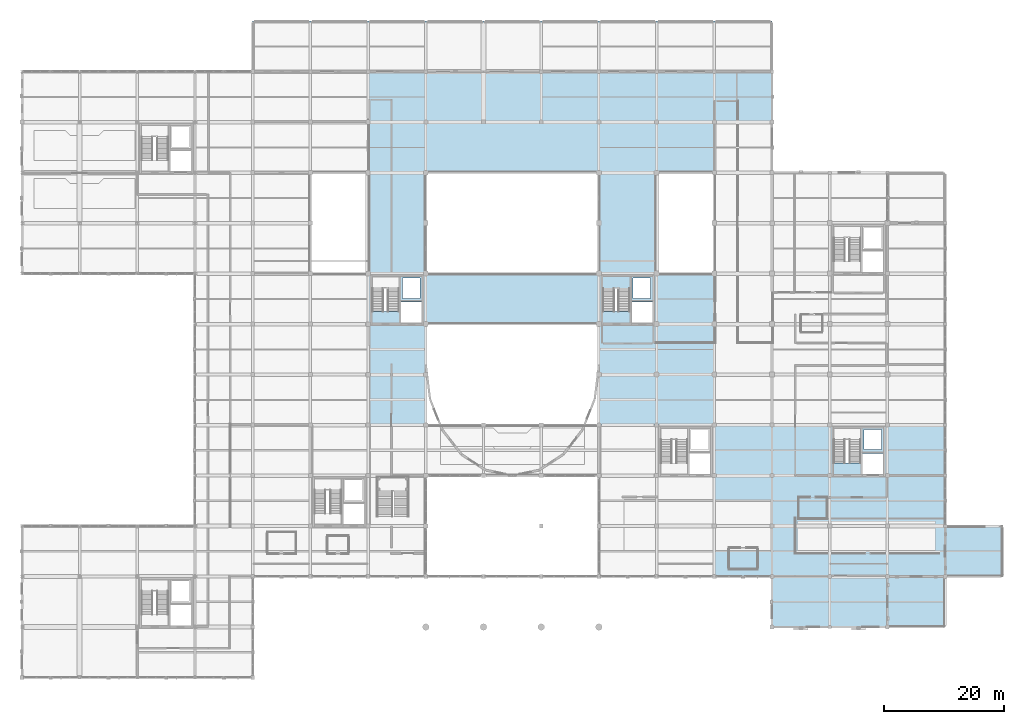
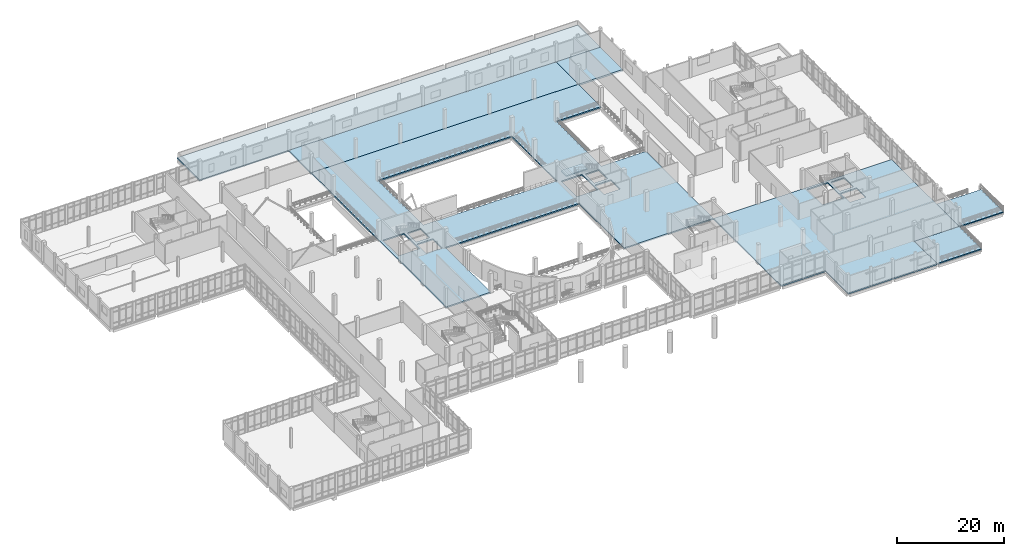
# One storey, part 83 of 102: 8 slabs, 1 element without a shape of its own.
"""IFC4 building model written with IfcOpenShell, lengths in metres."""

from ifc_helpers import new_model, si_unit, direction, frame, origin, place, context, subcontext, project, spatial, polyline, outline, extrude, material, layer, layer_set, type_object, element, aggregate, save


model = new_model("IFC4")

# Units and contexts
model_context = context("Model", 3, precision=1e-05, world=origin(), true_north=direction((0.0, 1.0)))
body_context = subcontext(model_context, "Body", "Model", "MODEL_VIEW")
ifc_project = project(units=[si_unit("LENGTHUNIT", "METRE"), si_unit("AREAUNIT", "SQUARE_METRE"), si_unit("VOLUMEUNIT", "CUBIC_METRE"), si_unit("PLANEANGLEUNIT", "RADIAN"), si_unit("MASSUNIT", "GRAM", prefix="KILO")], contexts=[model_context])

# Site, building, storey
site_placement = place(None, origin())
site = spatial("IfcSite", under=ifc_project, at=site_placement, CompositionType="ELEMENT")
building_placement = place(site_placement, origin())
building = spatial("IfcBuilding", under=site, at=building_placement, Name="Lornevale Opera House", CompositionType="ELEMENT")
storey_placement = place(building_placement, frame((0.0, 0.0, 5.39990234375)))
storey = spatial("IfcBuildingStorey", under=building, at=storey_placement, Name="L02", CompositionType="ELEMENT", Elevation=5.39990234375)

# Slabs
ifc_material_1 = material(Name="Concrete 40 MPa (CSA A23.1 C-1)", Category="concrete")
ifc_layer_1 = layer(ifc_material_1, 0.25)
ifc_layer_set_1 = layer_set([ifc_layer_1], Name="Concrete 40 MPa (CSA A23.1 C-1)")
slab_type_1 = type_object("IfcSlabType", Name="Escarpment Terrace Deck Slab 250", PredefinedType="USERDEFINED", material=ifc_layer_set_1)
slab_1_placement = place(storey_placement, frame((0.0, 0.0, -0.25)))
element("IfcSlab", 1, at=slab_1_placement, inside=storey, type_object=slab_type_1, Name="Escarpment Terrace Deck Slab 250 SL-043", ObjectType="TERRACE", PredefinedType="USERDEFINED", context=body_context, shape_type="SweptSolid", body=[
    extrude(outline(polyline([(153.60009765625, 8.39990234375), (144.0, 8.39990234375), (144.0, 16.800048828125), (153.60009765625, 16.800048828125), (153.60009765625, 8.39990234375)])), origin(), (0.0, 0.0, 1.0), 0.25),
])
slab_2_placement = place(storey_placement, frame((0.0, 0.0, -0.25)))
element("IfcSlab", 2, at=slab_2_placement, inside=storey, type_object=slab_type_1, Name="Escarpment Terrace Deck Slab 250 SL-044", ObjectType="TERRACE", PredefinedType="USERDEFINED", context=body_context, shape_type="SweptSolid", body=[
    extrude(outline(polyline([(153.60009765625, 25.199951171875), (163.199951171875, 25.199951171875), (163.199951171875, 16.800048828125), (153.60009765625, 16.800048828125), (153.60009765625, 25.199951171875)])), origin(), (0.0, 0.0, 1.0), 0.25),
])
ifc_layer_2 = layer(ifc_material_1, 0.3798828125)
ifc_layer_set_2 = layer_set([ifc_layer_2], Name="Concrete 40 MPa (CSA A23.1 C-1)")
slab_type_2 = type_object("IfcSlabType", Name="Heavy Workshop Floor Slab 380", PredefinedType="FLOOR", material=ifc_layer_set_2)
slab_3_placement = place(storey_placement, frame((0.0, 0.0, -0.3798828125)))
element("IfcSlab", 3, at=slab_3_placement, inside=storey, type_object=slab_type_2, Name="Heavy Workshop Floor Slab 380 SL-041", PredefinedType="FLOOR", context=body_context, shape_type="SweptSolid", body=[
    extrude(outline(polyline([(57.60009765625, 100.800048828125), (67.199951171875, 100.800048828125), (76.800048828125, 100.800048828125), (86.39990234375, 100.800048828125), (96.0, 100.800048828125), (105.60009765625, 100.800048828125), (115.199951171875, 100.800048828125), (115.199951171875, 92.39990234375), (105.60009765625, 92.39990234375), (96.0, 92.39990234375), (86.39990234375, 92.39990234375), (76.800048828125, 92.39990234375), (67.199951171875, 92.39990234375), (57.60009765625, 92.39990234375), (57.60009765625, 100.800048828125)])), origin(), (0.0, 0.0, 1.0), 0.3798828125),
])
slab_4_placement = place(storey_placement, frame((0.0, 0.0, -0.3798828125)))
element("IfcSlab", 4, at=slab_4_placement, inside=storey, type_object=slab_type_2, Name="Heavy Workshop Floor Slab 380 SL-042", PredefinedType="FLOOR", context=body_context, shape_type="SweptSolid", body=[
    extrude(outline(polyline([(124.800048828125, 92.39990234375), (124.800048828125, 100.800048828125), (115.199951171875, 100.800048828125), (115.199951171875, 92.39990234375), (124.800048828125, 92.39990234375)])), origin(), (0.0, 0.0, 1.0), 0.3798828125),
])
ifc_material_2 = material(Name="Concrete 35 MPa (CSA A23.1 N)", Category="concrete")
ifc_layer_3 = layer(ifc_material_2, 0.300048828125)
ifc_layer_set_3 = layer_set([ifc_layer_3], Name="Concrete 35 MPa (CSA A23.1 N)")
slab_type_3 = type_object("IfcSlabType", Name="Parterre Gallery Floor Slab 300", PredefinedType="FLOOR", material=ifc_layer_set_3)
slab_5_placement = place(storey_placement, frame((0.0, 0.0, -0.2998046875)))
element("IfcSlab", 5, at=slab_5_placement, inside=storey, type_object=slab_type_3, Name="Parterre Gallery Floor Slab 300 SL-036", PredefinedType="FLOOR", context=body_context, shape_type="SweptSolid", body=[
    extrude(outline(polyline([(124.800048828125, 16.800048828125), (115.199951171875, 16.800048828125), (115.199951171875, 25.199951171875), (115.199951171875, 33.60009765625), (115.199951171875, 42.0), (124.800048828125, 42.0), (134.39990234375, 42.0), (144.0, 42.0), (153.60009765625, 42.0), (153.60009765625, 33.60009765625), (153.60009765625, 25.199951171875), (153.60009765625, 16.800048828125), (144.0, 16.800048828125), (144.0, 8.39990234375), (134.39990234375, 8.39990234375), (124.800048828125, 8.39990234375), (124.800048828125, 16.800048828125)]), holes=[polyline([(139.860107421875, 33.780029296875), (143.320068359375, 33.780029296875), (143.320068359375, 37.239990234375), (139.860107421875, 37.239990234375), (139.860107421875, 33.780029296875)]), polyline([(135.06005859375, 35.679931640625), (139.5400390625, 35.679931640625), (139.5400390625, 41.47998046875), (135.06005859375, 41.47998046875), (135.06005859375, 35.679931640625)]), polyline([(140.10009765625, 37.89990234375), (143.0, 37.89990234375), (143.0, 41.239990234375), (140.10009765625, 41.239990234375), (140.10009765625, 37.89990234375)])]), origin(), (0.0, 0.0, 1.0), 0.2998046875),
])
slab_6_placement = place(storey_placement, frame((0.0, 0.0, -0.2998046875)))
element("IfcSlab", 6, at=slab_6_placement, inside=storey, type_object=slab_type_3, Name="Parterre Gallery Floor Slab 300 SL-038", PredefinedType="FLOOR", context=body_context, shape_type="SweptSolid", body=[
    extrude(outline(polyline([(57.60009765625, 58.800048828125), (57.60009765625, 67.199951171875), (57.60009765625, 75.60009765625), (57.60009765625, 84.0), (57.60009765625, 92.39990234375), (67.199951171875, 92.39990234375), (76.800048828125, 92.39990234375), (86.39990234375, 92.39990234375), (96.0, 92.39990234375), (105.60009765625, 92.39990234375), (115.199951171875, 92.39990234375), (115.199951171875, 84.0), (105.60009765625, 84.0), (105.60009765625, 75.60009765625), (105.60009765625, 67.199951171875), (115.199951171875, 67.199951171875), (115.199951171875, 58.800048828125), (115.199951171875, 50.39990234375), (115.199951171875, 42.0), (105.60009765625, 42.0), (96.0, 42.0), (96.0, 50.39990234375), (96.0, 58.800048828125), (86.39990234375, 58.800048828125), (76.800048828125, 58.800048828125), (67.199951171875, 58.800048828125), (67.199951171875, 50.39990234375), (67.199951171875, 42.0), (57.60009765625, 42.0), (57.60009765625, 50.39990234375), (57.60009765625, 58.800048828125)]), holes=[polyline([(86.39990234375, 84.0), (76.800048828125, 84.0), (67.199951171875, 84.0), (67.199951171875, 75.60009765625), (67.199951171875, 67.199951171875), (76.800048828125, 67.199951171875), (86.39990234375, 67.199951171875), (96.0, 67.199951171875), (96.0, 75.60009765625), (96.0, 84.0), (86.39990234375, 84.0)]), polyline([(63.06005859375, 58.97998046875), (66.52001953125, 58.97998046875), (66.52001953125, 62.43994140625), (63.06005859375, 62.43994140625), (63.06005859375, 58.97998046875)]), polyline([(58.260009765625, 60.8798828125), (62.739990234375, 60.8798828125), (62.739990234375, 66.679931640625), (58.260009765625, 66.679931640625), (58.260009765625, 60.8798828125)]), polyline([(101.4599609375, 58.97998046875), (104.919921875, 58.97998046875), (104.919921875, 62.43994140625), (101.4599609375, 62.43994140625), (101.4599609375, 58.97998046875)]), polyline([(96.659912109375, 60.8798828125), (101.139892578125, 60.8798828125), (101.139892578125, 66.679931640625), (96.659912109375, 66.679931640625), (96.659912109375, 60.8798828125)]), polyline([(63.300048828125, 63.10009765625), (66.199951171875, 63.10009765625), (66.199951171875, 66.43994140625), (63.300048828125, 66.43994140625), (63.300048828125, 63.10009765625)]), polyline([(101.699951171875, 63.10009765625), (104.60009765625, 63.10009765625), (104.60009765625, 66.43994140625), (101.699951171875, 66.43994140625), (101.699951171875, 63.10009765625)])]), origin(), (0.0, 0.0, 1.0), 0.2998046875),
])

# Stair, slab
ifc_layer_4 = layer(ifc_material_2, 4.800048828125)
ifc_layer_set_4 = layer_set([ifc_layer_4], Name="Concrete 35 MPa (CSA A23.1 N)")
stair_type = type_object("IfcStairType", Name="Firefighter Core Stair 4800-W1880", PredefinedType="TWO_STRAIGHT_RUN_STAIR", material=ifc_layer_set_4)
stair_placement = place(storey_placement, origin())
stair = element("IfcStair", 7, at=stair_placement, inside=storey, type_object=stair_type, Name="Stagehouse Firefighter Core West Stair ST-23 (L02-L03)", PredefinedType="TWO_STRAIGHT_RUN_STAIR")
ifc_layer_5 = layer(ifc_material_2, 0.219970703125)
ifc_layer_set_5 = layer_set([ifc_layer_5], Name="Concrete 35 MPa (CSA A23.1 N)")
slab_type_4 = type_object("IfcSlabType", Name="Stair Half-Landing Slab 220", PredefinedType="LANDING", material=ifc_layer_set_5)
slab_7_placement = place(storey_placement, frame((0.0, 0.0, 2.18017578125)))
slab_7 = element("IfcSlab", 8, at=slab_7_placement, type_object=slab_type_4, Name="ST-23 Half-Landing SL-LND-023", PredefinedType="LANDING", context=body_context, shape_type="SweptSolid", body=[
    extrude(outline(polyline([(96.60009765625, 64.760009765625), (101.199951171875, 64.760009765625), (101.199951171875, 66.780029296875), (96.60009765625, 66.780029296875), (96.60009765625, 64.760009765625)])), origin(), (0.0, 0.0, 1.0), 0.219970703125),
])
aggregate(stair, [slab_7])

# Slab
ifc_layer_6 = layer(ifc_material_2, 0.2900390625)
ifc_layer_set_6 = layer_set([ifc_layer_6], Name="Concrete 35 MPa (CSA A23.1 N)")
slab_type_5 = type_object("IfcSlabType", Name="Vegetated Green Roof Slab 290", PredefinedType="ROOF", material=ifc_layer_set_6)
slab_8_placement = place(storey_placement, frame((0.0, 0.0, -0.289794921875)))
element("IfcSlab", 9, at=slab_8_placement, inside=storey, type_object=slab_type_5, Name="Unoccupied Maintenance Vegetated Green Roof Slab SL-074", PredefinedType="ROOF", context=body_context, shape_type="SweptSolid", body=[
    extrude(outline(polyline([(48.0, 109.199951171875), (57.60009765625, 109.199951171875), (67.199951171875, 109.199951171875), (76.800048828125, 109.199951171875), (86.39990234375, 109.199951171875), (96.0, 109.199951171875), (105.60009765625, 109.199951171875), (115.199951171875, 109.199951171875), (124.800048828125, 109.199951171875), (124.800048828125, 100.800048828125), (115.199951171875, 100.800048828125), (105.60009765625, 100.800048828125), (96.0, 100.800048828125), (86.39990234375, 100.800048828125), (76.800048828125, 100.800048828125), (67.199951171875, 100.800048828125), (57.60009765625, 100.800048828125), (48.0, 100.800048828125), (38.39990234375, 100.800048828125), (38.39990234375, 109.199951171875), (48.0, 109.199951171875)])), origin(), (0.0, 0.0, 1.0), 0.289794921875),
])

save(model, "model.ifc")
